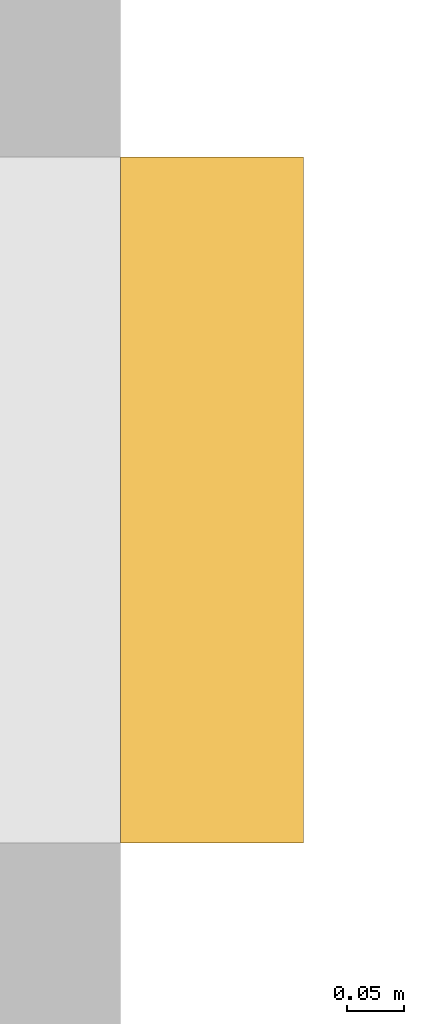
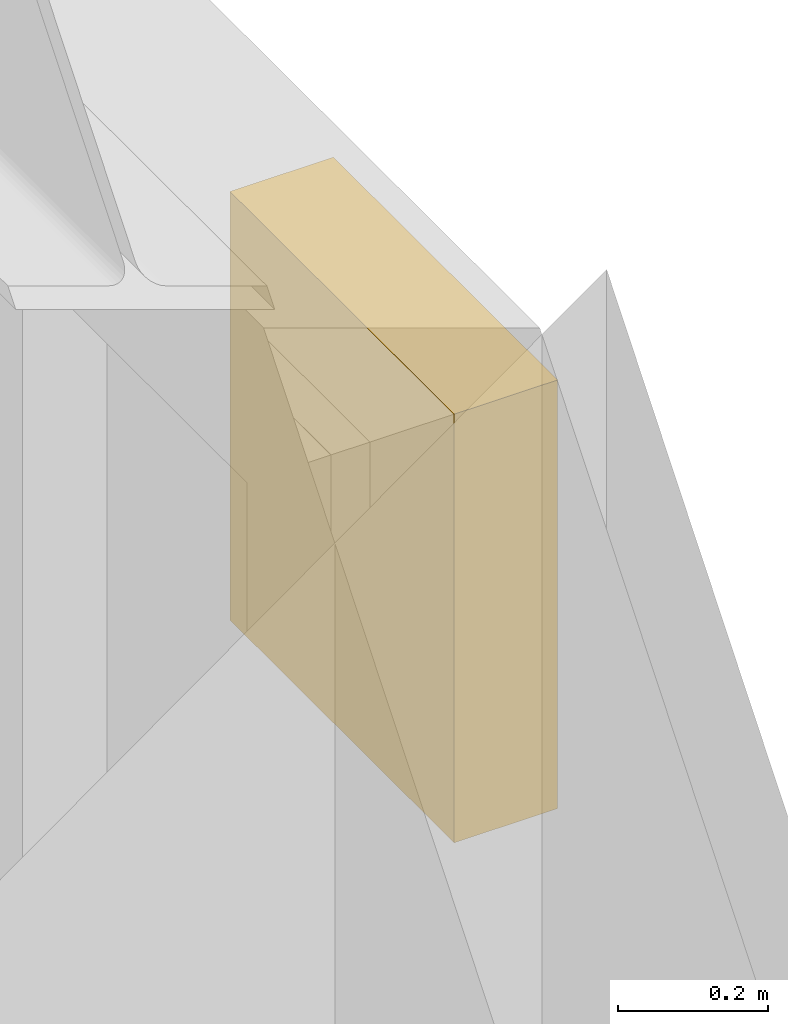
# One storey, part 11 of 11: 1 shading device.
"""IFC4 building model written with IfcOpenShell, lengths in metres."""

from ifc_helpers import new_model, si_unit, direction, frame, origin, origin_2d, place, context, subcontext, project, spatial, rectangle, extrude, material, type_object, element, save


model = new_model("IFC4")

# Units and contexts
model_context = context("Model", 3, precision=1e-05, world=origin(), true_north=direction((0.0, 1.0)))
body_context = subcontext(model_context, "Body", "Model", "MODEL_VIEW")
ifc_project = project(units=[si_unit("LENGTHUNIT", "METRE"), si_unit("AREAUNIT", "SQUARE_METRE"), si_unit("VOLUMEUNIT", "CUBIC_METRE"), si_unit("PLANEANGLEUNIT", "RADIAN"), si_unit("MASSUNIT", "GRAM", prefix="KILO")], contexts=[model_context])

# Site, building, storey
site_placement = place(None, origin())
site = spatial("IfcSite", under=ifc_project, at=site_placement, CompositionType="ELEMENT")
building_placement = place(site_placement, origin())
building = spatial("IfcBuilding", under=site, at=building_placement, Name="Orvandelia Arch Residences", CompositionType="ELEMENT")
storey_placement = place(building_placement, frame((0.0, 0.0, 64.60009765625)))
storey = spatial("IfcBuildingStorey", under=building, at=storey_placement, Name="L16", CompositionType="ELEMENT", Elevation=64.60009765625)

# Shading device
ifc_material = material(Name="Anodised Champagne-Bronze Extruded Aluminium", Category="aluminium")
shading_device_type = type_object("IfcShadingDeviceType", Name="SHD-JALOUSIE-SCREEN", PredefinedType="JALOUSIE", material=ifc_material)
shading_device_placement = place(storey_placement, frame((24.080078125, 20.284912109375, 1.5498046875), z_axis=(0.0, 0.0, 1.0), x_axis=(0.0, -1.0, 0.0)))
element("IfcShadingDevice", 1, at=shading_device_placement, inside=storey, type_object=shading_device_type, Name="Bronze Jalousie Sun-Shade L16-007", PredefinedType="JALOUSIE", context=body_context, shape_type="SweptSolid", body=[
    extrude(rectangle(XDim=0.60009765625, YDim=0.159912109375, at=origin_2d()), origin(), (0.0, 0.0, 1.0), 0.699951171875),
])

save(model, "model.ifc")
